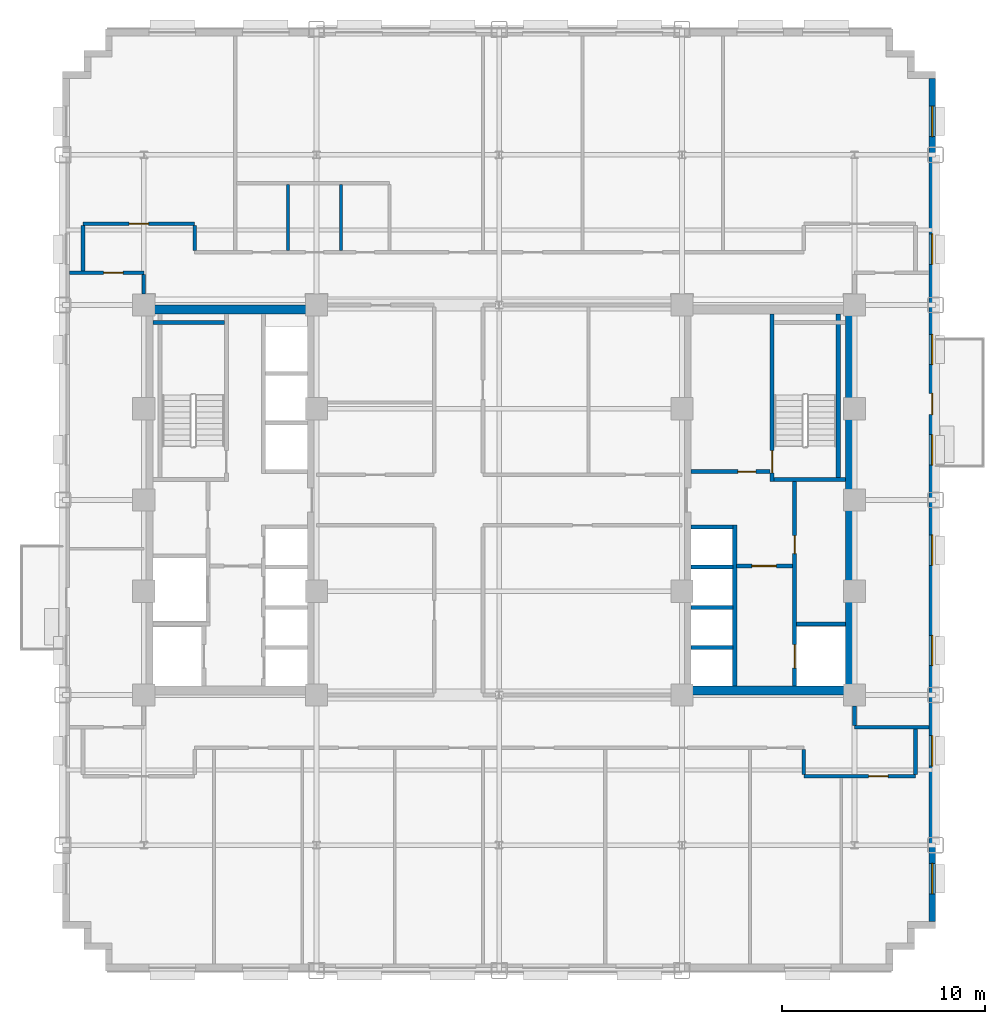
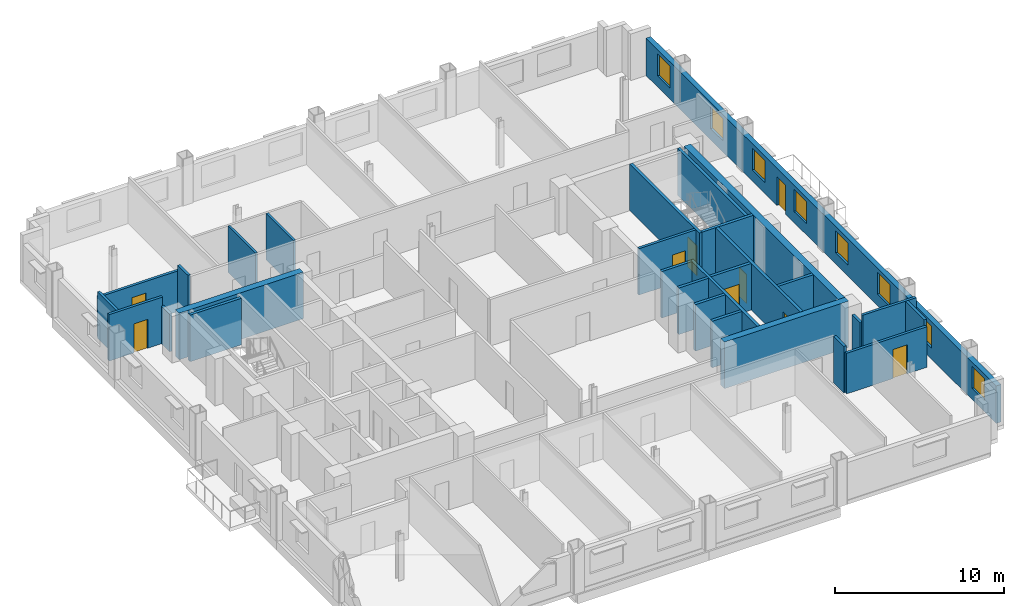
# One storey, part 8 of 14: 29 walls, 9 doors, 8 windows, 17 openings.
"""IFC4 building model written with IfcOpenShell, lengths in metres."""

from ifc_helpers import new_model, si_unit, direction, frame, frame_2d, origin, place, context, subcontext, project, spatial, rectangle, extrude, source, transform, mapped, material, layer, layer_set, type_object, type_shapes, element, fill, save


model = new_model("IFC4")

# Units and contexts
model_context = context("Model", 3, precision=1e-05, world=origin(), true_north=direction((0.0, 1.0)))
body_context = subcontext(model_context, "Body", "Model", "MODEL_VIEW")
ifc_project = project(units=[si_unit("LENGTHUNIT", "METRE"), si_unit("AREAUNIT", "SQUARE_METRE"), si_unit("VOLUMEUNIT", "CUBIC_METRE"), si_unit("PLANEANGLEUNIT", "RADIAN"), si_unit("MASSUNIT", "GRAM", prefix="KILO")], contexts=[model_context])

# Site, building, storey
site_placement = place(None, origin())
site = spatial("IfcSite", under=ifc_project, at=site_placement, CompositionType="ELEMENT")
building_placement = place(site_placement, origin())
building = spatial("IfcBuilding", under=site, at=building_placement, Name="Nuvemarco Arch Tower", CompositionType="ELEMENT")
storey_placement = place(building_placement, frame((0.0, 0.0, 71.39990234375)))
storey = spatial("IfcBuildingStorey", under=building, at=storey_placement, Name="L18", CompositionType="ELEMENT", Elevation=71.39990234375)

# Wall, openings, door, windows
ifc_material_1 = material(Name="Precast concrete C45/55", Category="concrete")
ifc_layer_1 = layer(ifc_material_1, 0.340087890625, Name="EW-LOW-340")
ifc_layer_set_1 = layer_set([ifc_layer_1], Name="Precast concrete C45/55")
wall_type_1 = type_object("IfcWallType", Name="EW-LOW-340", PredefinedType="STANDARD", material=ifc_layer_set_1)
wall_1_placement = place(storey_placement, frame((21.330078125, -20.763916015625, 0.0), z_axis=(0.0, 0.0, 1.0), x_axis=(0.0, 1.0, 0.0)))
wall_1 = element("IfcWall", 1, at=wall_1_placement, inside=storey, type_object=wall_type_1, Name="L18 exterior precast facade wall 6", PredefinedType="STANDARD", context=body_context, shape_type="SweptSolid", body=[
    extrude(rectangle(XDim=41.52783203125, YDim=0.340087890625, at=frame_2d((20.763916015625, 0.0))), origin(), (0.0, 0.0, 1.0), 2.705078125),
])
opening_1_placement = place(wall_1_placement, frame((26.01416015625, 0.0, 0.0), z_axis=(0.0, 0.0, 1.0), x_axis=(-1.0, 0.0, 0.0)))
opening_1 = element("IfcOpeningElement", 2, at=opening_1_placement, cuts=wall_1, Name="Opening ED-5", PredefinedType="OPENING", context=body_context, shape_type="SweptSolid", body=[
    extrude(rectangle(XDim=1.050048828125, YDim=2.10009765625, at=frame_2d((0.52490234375, 1.050048828125))), frame((0.0, 0.179931640625, 0.0), z_axis=(0.0, -1.0, 0.0), x_axis=(1.0, 0.0, 0.0)), (0.0, 0.0, 1.0), 0.360107421875),
])
opening_2_placement = place(wall_1_placement, frame((1.37060546875, 0.0, 0.800048828125)))
opening_2 = element("IfcOpeningElement", 3, at=opening_2_placement, cuts=wall_1, Name="Opening WN-11", PredefinedType="OPENING", context=body_context, shape_type="SweptSolid", body=[
    extrude(rectangle(XDim=1.5, YDim=1.60009765625, at=frame_2d((0.75, 0.800048828125))), frame((0.0, 0.179931640625, 0.0), z_axis=(0.0, -1.0, 0.0), x_axis=(1.0, 0.0, 0.0)), (0.0, 0.0, 1.0), 0.360107421875),
])
opening_3_placement = place(wall_1_placement, frame((7.66162109375, 0.0, 0.800048828125)))
opening_3 = element("IfcOpeningElement", 4, at=opening_3_placement, cuts=wall_1, Name="Opening WN-11", PredefinedType="OPENING", context=body_context, shape_type="SweptSolid", body=[
    extrude(rectangle(XDim=1.5, YDim=1.60009765625, at=frame_2d((0.75, 0.800048828125))), frame((0.0, 0.179931640625, 0.0), z_axis=(0.0, -1.0, 0.0), x_axis=(1.0, 0.0, 0.0)), (0.0, 0.0, 1.0), 0.360107421875),
])
opening_4_placement = place(wall_1_placement, frame((12.6025390625, 0.0, 0.800048828125)))
opening_4 = element("IfcOpeningElement", 5, at=opening_4_placement, cuts=wall_1, Name="Opening WN-11", PredefinedType="OPENING", context=body_context, shape_type="SweptSolid", body=[
    extrude(rectangle(XDim=1.5, YDim=1.60009765625, at=frame_2d((0.75, 0.800048828125))), frame((0.0, 0.179931640625, 0.0), z_axis=(0.0, -1.0, 0.0), x_axis=(1.0, 0.0, 0.0)), (0.0, 0.0, 1.0), 0.360107421875),
])
opening_5_placement = place(wall_1_placement, frame((17.54345703125, 0.0, 0.800048828125)))
opening_5 = element("IfcOpeningElement", 6, at=opening_5_placement, cuts=wall_1, Name="Opening WN-11", PredefinedType="OPENING", context=body_context, shape_type="SweptSolid", body=[
    extrude(rectangle(XDim=1.5, YDim=1.60009765625, at=frame_2d((0.75, 0.800048828125))), frame((0.0, 0.179931640625, 0.0), z_axis=(0.0, -1.0, 0.0), x_axis=(1.0, 0.0, 0.0)), (0.0, 0.0, 1.0), 0.360107421875),
])
opening_6_placement = place(wall_1_placement, frame((22.484619140625, 0.0, 0.800048828125)))
opening_6 = element("IfcOpeningElement", 7, at=opening_6_placement, cuts=wall_1, Name="Opening WN-11", PredefinedType="OPENING", context=body_context, shape_type="SweptSolid", body=[
    extrude(rectangle(XDim=1.5, YDim=1.60009765625, at=frame_2d((0.75, 0.800048828125))), frame((0.0, 0.179931640625, 0.0), z_axis=(0.0, -1.0, 0.0), x_axis=(1.0, 0.0, 0.0)), (0.0, 0.0, 1.0), 0.360107421875),
])
opening_7_placement = place(wall_1_placement, frame((27.425537109375, 0.0, 0.800048828125)))
opening_7 = element("IfcOpeningElement", 8, at=opening_7_placement, cuts=wall_1, Name="Opening WN-11", PredefinedType="OPENING", context=body_context, shape_type="SweptSolid", body=[
    extrude(rectangle(XDim=1.5, YDim=1.60009765625, at=frame_2d((0.75, 0.800048828125))), frame((0.0, 0.179931640625, 0.0), z_axis=(0.0, -1.0, 0.0), x_axis=(1.0, 0.0, 0.0)), (0.0, 0.0, 1.0), 0.360107421875),
])
opening_8_placement = place(wall_1_placement, frame((32.366455078125, 0.0, 0.800048828125)))
opening_8 = element("IfcOpeningElement", 9, at=opening_8_placement, cuts=wall_1, Name="Opening WN-11", PredefinedType="OPENING", context=body_context, shape_type="SweptSolid", body=[
    extrude(rectangle(XDim=1.5, YDim=1.60009765625, at=frame_2d((0.75, 0.800048828125))), frame((0.0, 0.179931640625, 0.0), z_axis=(0.0, -1.0, 0.0), x_axis=(1.0, 0.0, 0.0)), (0.0, 0.0, 1.0), 0.360107421875),
])
opening_9_placement = place(wall_1_placement, frame((38.657470703125, 0.0, 0.800048828125)))
opening_9 = element("IfcOpeningElement", 10, at=opening_9_placement, cuts=wall_1, Name="Opening WN-11", PredefinedType="OPENING", context=body_context, shape_type="SweptSolid", body=[
    extrude(rectangle(XDim=1.5, YDim=1.60009765625, at=frame_2d((0.75, 0.800048828125))), frame((0.0, 0.179931640625, 0.0), z_axis=(0.0, -1.0, 0.0), x_axis=(1.0, 0.0, 0.0)), (0.0, 0.0, 1.0), 0.360107421875),
])
ifc_material_2 = material(Name="Anodised bronze and laminated glass", Category="glass")
door_type_1 = type_object("IfcDoorType", Name="DR-EXT-TERR", OperationType="NOTDEFINED", PredefinedType="DOOR", material=ifc_material_2)
shared_shape_1 = source(origin(), body_context, "Body", "SweptSolid", [
    extrude(rectangle(XDim=1.050048828125, YDim=2.10009765625, at=frame_2d((0.52490234375, 1.050048828125))), frame((0.0, 0.02490234375, 0.0), z_axis=(0.0, -1.0, 0.0), x_axis=(1.0, 0.0, 0.0)), (0.0, 0.0, 1.0), 0.050048828125),
])
type_shapes(door_type_1, [shared_shape_1])
door_1_placement = place(opening_1_placement, origin())
door_1 = element("IfcDoor", 11, at=door_1_placement, inside=storey, type_object=door_type_1, Name="L18 spiral terrace access door", OperationType="SINGLE_SWING_RIGHT", OverallHeight=2.10009765625, OverallWidth=1.050048828125, PredefinedType="DOOR", context=body_context, shape_type="MappedRepresentation", body=[
    mapped(shared_shape_1, transform((0.0, 0.0, 0.0), scale=1.0)),
])
fill(opening_1, door_1)
ifc_material_3 = material(Name="Insulated solar-control glass", Category="glass")
window_type = type_object("IfcWindowType", Name="WN-STEP-1500x1850", PartitioningType="SINGLE_PANEL", PredefinedType="WINDOW", material=ifc_material_3)
shared_shape_2 = source(origin(), body_context, "Body", "SweptSolid", [
    extrude(rectangle(XDim=1.5, YDim=1.60009765625, at=frame_2d((0.75, 0.800048828125))), frame((0.0, 0.030029296875, 0.0), z_axis=(0.0, -1.0, 0.0), x_axis=(1.0, 0.0, 0.0)), (0.0, 0.0, 1.0), 0.06005859375),
])
type_shapes(window_type, [shared_shape_2])
window_1_placement = place(opening_2_placement, origin())
window_1 = element("IfcWindow", 12, at=window_1_placement, inside=storey, type_object=window_type, Name="L18 punched facade window 1", OverallHeight=1.60009765625, OverallWidth=1.5, PartitioningType="SINGLE_PANEL", PredefinedType="WINDOW", context=body_context, shape_type="MappedRepresentation", body=[
    mapped(shared_shape_2, transform((0.0, 0.0, 0.0), scale=1.0)),
])
fill(opening_2, window_1)
window_2_placement = place(opening_3_placement, origin())
window_2 = element("IfcWindow", 13, at=window_2_placement, inside=storey, type_object=window_type, Name="L18 punched facade window 2", OverallHeight=1.60009765625, OverallWidth=1.5, PartitioningType="SINGLE_PANEL", PredefinedType="WINDOW", context=body_context, shape_type="MappedRepresentation", body=[
    mapped(shared_shape_2, transform((0.0, 0.0, 0.0), scale=1.0)),
])
fill(opening_3, window_2)
window_3_placement = place(opening_4_placement, origin())
window_3 = element("IfcWindow", 14, at=window_3_placement, inside=storey, type_object=window_type, Name="L18 punched facade window 3", OverallHeight=1.60009765625, OverallWidth=1.5, PartitioningType="SINGLE_PANEL", PredefinedType="WINDOW", context=body_context, shape_type="MappedRepresentation", body=[
    mapped(shared_shape_2, transform((0.0, 0.0, 0.0), scale=1.0)),
])
fill(opening_4, window_3)
window_4_placement = place(opening_5_placement, origin())
window_4 = element("IfcWindow", 15, at=window_4_placement, inside=storey, type_object=window_type, Name="L18 punched facade window 4", OverallHeight=1.60009765625, OverallWidth=1.5, PartitioningType="SINGLE_PANEL", PredefinedType="WINDOW", context=body_context, shape_type="MappedRepresentation", body=[
    mapped(shared_shape_2, transform((0.0, 0.0, 0.0), scale=1.0)),
])
fill(opening_5, window_4)
window_5_placement = place(opening_6_placement, origin())
window_5 = element("IfcWindow", 16, at=window_5_placement, inside=storey, type_object=window_type, Name="L18 punched facade window 5", OverallHeight=1.60009765625, OverallWidth=1.5, PartitioningType="SINGLE_PANEL", PredefinedType="WINDOW", context=body_context, shape_type="MappedRepresentation", body=[
    mapped(shared_shape_2, transform((0.0, 0.0, 0.0), scale=1.0)),
])
fill(opening_6, window_5)
window_6_placement = place(opening_7_placement, origin())
window_6 = element("IfcWindow", 17, at=window_6_placement, inside=storey, type_object=window_type, Name="L18 punched facade window 6", OverallHeight=1.60009765625, OverallWidth=1.5, PartitioningType="SINGLE_PANEL", PredefinedType="WINDOW", context=body_context, shape_type="MappedRepresentation", body=[
    mapped(shared_shape_2, transform((0.0, 0.0, 0.0), scale=1.0)),
])
fill(opening_7, window_6)
window_7_placement = place(opening_8_placement, origin())
window_7 = element("IfcWindow", 18, at=window_7_placement, inside=storey, type_object=window_type, Name="L18 punched facade window 7", OverallHeight=1.60009765625, OverallWidth=1.5, PartitioningType="SINGLE_PANEL", PredefinedType="WINDOW", context=body_context, shape_type="MappedRepresentation", body=[
    mapped(shared_shape_2, transform((0.0, 0.0, 0.0), scale=1.0)),
])
fill(opening_8, window_7)
window_8_placement = place(opening_9_placement, origin())
window_8 = element("IfcWindow", 19, at=window_8_placement, inside=storey, type_object=window_type, Name="L18 punched facade window 8", OverallHeight=1.60009765625, OverallWidth=1.5, PartitioningType="SINGLE_PANEL", PredefinedType="WINDOW", context=body_context, shape_type="MappedRepresentation", body=[
    mapped(shared_shape_2, transform((0.0, 0.0, 0.0), scale=1.0)),
])
fill(opening_9, window_8)

# Walls
ifc_material_4 = material(Name="Concrete C60/75", Category="concrete")
ifc_layer_2 = layer(ifc_material_4, 0.449951171875, Name="WL-CORE-450")
ifc_layer_set_2 = layer_set([ifc_layer_2], Name="Concrete C60/75")
wall_type_2 = type_object("IfcWallType", Name="WL-CORE-450", PredefinedType="SHEAR", material=ifc_layer_set_2)
for number, where, z_axis, x_axis, name in (
    (20, (-17.5, 9.375, 0.0), (0.0, 0.0, 1.0), (1.0, 0.0, 0.0), "L18 W-core shear wall N"),
    (21, (9.0, -9.375, 0.0), (0.0, 0.0, 1.0), (1.0, 0.0, 0.0), "L18 E-core shear wall S"),
):
    element("IfcWall", number, at=place(storey_placement, frame(where, z_axis=z_axis, x_axis=x_axis)), inside=storey, type_object=wall_type_2, Name=name, PredefinedType="SHEAR", context=body_context, shape_type="SweptSolid", body=[
        extrude(rectangle(XDim=8.5, YDim=0.449951171875, at=frame_2d((4.25, 0.0))), origin(), (0.0, 0.0, 1.0), 3.3701171875),
    ])
wall_2_placement = place(storey_placement, frame((17.27490234375, -9.155029296875, 0.0), z_axis=(0.0, 0.0, 1.0), x_axis=(0.0, 1.0, 0.0)))
element("IfcWall", 22, at=wall_2_placement, inside=storey, type_object=wall_type_2, Name="L18 E-core shear wall E", PredefinedType="SHEAR", context=body_context, shape_type="SweptSolid", body=[
    extrude(rectangle(XDim=18.31005859375, YDim=0.449951171875, at=frame_2d((9.155029296875, 0.0))), origin(), (0.0, 0.0, 1.0), 3.3701171875),
])

# Wall, opening, door
ifc_material_5 = material(Name="Fire-rated gypsum drywall partition")
ifc_layer_3 = layer(ifc_material_5, 0.179931640625, Name="WL-CORR-180")
ifc_layer_set_3 = layer_set([ifc_layer_3], Name="Fire-rated gypsum drywall partition")
wall_type_3 = type_object("IfcWallType", Name="WL-CORR-180", PredefinedType="PARTITIONING", material=ifc_layer_set_3)
wall_3_placement = place(storey_placement, frame((9.445068359375, 1.39990234375, 0.0), z_axis=(0.0, 0.0, 1.0), x_axis=(1.0, 0.0, 0.0)))
wall_3 = element("IfcWall", 23, at=wall_3_placement, inside=storey, type_object=wall_type_3, Name="L18 interior wall IW-L18-EK-S", PredefinedType="PARTITIONING", context=body_context, shape_type="SweptSolid", body=[
    extrude(rectangle(XDim=3.89990234375, YDim=0.179931640625, at=frame_2d((1.949951171875, 0.0))), origin(), (0.0, 0.0, 1.0), 3.360107421875),
])
opening_10_placement = place(wall_3_placement, frame((2.31494140625, 0.0, 0.0)))
opening_10 = element("IfcOpeningElement", 24, at=opening_10_placement, cuts=wall_3, Name="Opening FD-4", PredefinedType="OPENING", context=body_context, shape_type="SweptSolid", body=[
    extrude(rectangle(XDim=0.8798828125, YDim=2.10009765625, at=frame_2d((0.43994140625, 1.050048828125))), frame((0.0, 0.099853515625, 0.0), z_axis=(0.0, -1.0, 0.0), x_axis=(1.0, 0.0, 0.0)), (0.0, 0.0, 1.0), 0.199951171875),
])
ifc_material_6 = material(Name="Anodised steel fire door", Category="steel")
door_type_2 = type_object("IfcDoorType", Name="DR-RISER-FD", OperationType="NOTDEFINED", PredefinedType="DOOR", material=ifc_material_6)
shared_shape_3 = source(origin(), body_context, "Body", "SweptSolid", [
    extrude(rectangle(XDim=0.8798828125, YDim=2.10009765625, at=frame_2d((0.43994140625, 1.050048828125))), frame((0.0, 0.02490234375, 0.0), z_axis=(0.0, -1.0, 0.0), x_axis=(1.0, 0.0, 0.0)), (0.0, 0.0, 1.0), 0.050048828125),
])
type_shapes(door_type_2, [shared_shape_3])
door_2_placement = place(opening_10_placement, origin())
door_2 = element("IfcDoor", 25, at=door_2_placement, inside=storey, type_object=door_type_2, Name="L18 door FD-L18-EK1A", OperationType="SINGLE_SWING_RIGHT", OverallHeight=2.10009765625, OverallWidth=0.8798828125, PredefinedType="DOOR", context=body_context, shape_type="MappedRepresentation", body=[
    mapped(shared_shape_3, transform((0.0, 0.0, 0.0), scale=1.0)),
])
fill(opening_10, door_2)

wall_4_placement = place(storey_placement, frame((15.0, -13.60009765625, 0.0), z_axis=(0.0, 0.0, 1.0), x_axis=(1.0, 0.0, 0.0)))
wall_4 = element("IfcWall", 26, at=wall_4_placement, inside=storey, type_object=wall_type_3, Name="L18 interior wall IW-L18-002", PredefinedType="PARTITIONING", context=body_context, shape_type="SweptSolid", body=[
    extrude(rectangle(XDim=5.5, YDim=0.179931640625, at=frame_2d((2.75, 0.0))), origin(), (0.0, 0.0, 1.0), 2.942138671875),
])
opening_11_placement = place(wall_4_placement, frame((3.195068359375, 0.0, 0.0)))
opening_11 = element("IfcOpeningElement", 27, at=opening_11_placement, cuts=wall_4, Name="Opening FD-5", PredefinedType="OPENING", context=body_context, shape_type="SweptSolid", body=[
    extrude(rectangle(XDim=0.9599609375, YDim=2.10009765625, at=frame_2d((0.47998046875, 1.050048828125))), frame((0.0, 0.099853515625, 0.0), z_axis=(0.0, -1.0, 0.0), x_axis=(1.0, 0.0, 0.0)), (0.0, 0.0, 1.0), 0.199951171875),
])
ifc_material_7 = material(Name="Timber fire door", Category="wood")
door_type_3 = type_object("IfcDoorType", Name="DR-CORR-FD", OperationType="NOTDEFINED", PredefinedType="DOOR", material=ifc_material_7)
shared_shape_4 = source(origin(), body_context, "Body", "SweptSolid", [
    extrude(rectangle(XDim=0.9599609375, YDim=2.10009765625, at=frame_2d((0.47998046875, 1.050048828125))), frame((0.0, 0.02490234375, 0.0), z_axis=(0.0, -1.0, 0.0), x_axis=(1.0, 0.0, 0.0)), (0.0, 0.0, 1.0), 0.050048828125),
])
type_shapes(door_type_3, [shared_shape_4])
door_3_placement = place(opening_11_placement, origin())
door_3 = element("IfcDoor", 28, at=door_3_placement, inside=storey, type_object=door_type_3, Name="L18 door DR-L18-S_8", OperationType="SINGLE_SWING_RIGHT", OverallHeight=2.10009765625, OverallWidth=0.9599609375, PredefinedType="DOOR", context=body_context, shape_type="MappedRepresentation", body=[
    mapped(shared_shape_4, transform((0.0, 0.0, 0.0), scale=1.0)),
])
fill(opening_11, door_3)

# Wall
wall_5_placement = place(storey_placement, frame((17.5, -11.199951171875, 0.0), z_axis=(0.0, 0.0, 1.0), x_axis=(1.0, 0.0, 0.0)))
element("IfcWall", 29, at=wall_5_placement, inside=storey, type_object=wall_type_3, Name="L18 interior wall IW-L18-005", PredefinedType="PARTITIONING", context=body_context, shape_type="SweptSolid", body=[
    extrude(rectangle(XDim=3.659912109375, YDim=0.179931640625, at=frame_2d((1.830078125, 0.0))), origin(), (0.0, 0.0, 1.0), 3.360107421875),
])

# Wall, opening, door
wall_6_placement = place(storey_placement, frame((-21.159912109375, 11.199951171875, 0.0), z_axis=(0.0, 0.0, 1.0), x_axis=(1.0, 0.0, 0.0)))
wall_6 = element("IfcWall", 30, at=wall_6_placement, inside=storey, type_object=wall_type_3, Name="L18 interior wall IW-L18-018", PredefinedType="PARTITIONING", context=body_context, shape_type="SweptSolid", body=[
    extrude(rectangle(XDim=3.659912109375, YDim=0.179931640625, at=frame_2d((1.830078125, 0.0))), origin(), (0.0, 0.0, 1.0), 3.360107421875),
])
opening_12_placement = place(wall_6_placement, frame((1.679931640625, 0.0, 0.0)))
opening_12 = element("IfcOpeningElement", 31, at=opening_12_placement, cuts=wall_6, Name="Opening FD-5", PredefinedType="OPENING", context=body_context, shape_type="SweptSolid", body=[
    extrude(rectangle(XDim=0.9599609375, YDim=2.10009765625, at=frame_2d((0.47998046875, 1.050048828125))), frame((0.0, 0.099853515625, 0.0), z_axis=(0.0, -1.0, 0.0), x_axis=(1.0, 0.0, 0.0)), (0.0, 0.0, 1.0), 0.199951171875),
])
door_4_placement = place(opening_12_placement, origin())
door_4 = element("IfcDoor", 32, at=door_4_placement, inside=storey, type_object=door_type_3, Name="L18 door DR-L18-W_2", OperationType="SINGLE_SWING_RIGHT", OverallHeight=2.10009765625, OverallWidth=0.9599609375, PredefinedType="DOOR", context=body_context, shape_type="MappedRepresentation", body=[
    mapped(shared_shape_4, transform((0.0, 0.0, 0.0), scale=1.0)),
])
fill(opening_12, door_4)

wall_7_placement = place(storey_placement, frame((-20.5, 13.60009765625, 0.0), z_axis=(0.0, 0.0, 1.0), x_axis=(1.0, 0.0, 0.0)))
wall_7 = element("IfcWall", 33, at=wall_7_placement, inside=storey, type_object=wall_type_3, Name="L18 interior wall IW-L18-021", PredefinedType="PARTITIONING", context=body_context, shape_type="SweptSolid", body=[
    extrude(rectangle(XDim=5.5, YDim=0.179931640625, at=frame_2d((2.75, 0.0))), origin(), (0.0, 0.0, 1.0), 2.942138671875),
])
opening_13_placement = place(wall_7_placement, frame((2.27001953125, 0.0, 0.0)))
opening_13 = element("IfcOpeningElement", 34, at=opening_13_placement, cuts=wall_7, Name="Opening FD-5", PredefinedType="OPENING", context=body_context, shape_type="SweptSolid", body=[
    extrude(rectangle(XDim=0.9599609375, YDim=2.10009765625, at=frame_2d((0.47998046875, 1.050048828125))), frame((0.0, 0.099853515625, 0.0), z_axis=(0.0, -1.0, 0.0), x_axis=(1.0, 0.0, 0.0)), (0.0, 0.0, 1.0), 0.199951171875),
])
door_5_placement = place(opening_13_placement, origin())
door_5 = element("IfcDoor", 35, at=door_5_placement, inside=storey, type_object=door_type_3, Name="L18 door DR-L18-N_1", OperationType="SINGLE_SWING_RIGHT", OverallHeight=2.10009765625, OverallWidth=0.9599609375, PredefinedType="DOOR", context=body_context, shape_type="MappedRepresentation", body=[
    mapped(shared_shape_4, transform((0.0, 0.0, 0.0), scale=1.0)),
])
fill(opening_13, door_5)

# Walls
wall_8_placement = place(storey_placement, frame((-20.5, 11.285888671875, 0.0), z_axis=(0.0, 0.0, 1.0), x_axis=(0.0, 1.0, 0.0)))
element("IfcWall", 36, at=wall_8_placement, inside=storey, type_object=wall_type_3, Name="L18 interior wall IW-L18-025", PredefinedType="PARTITIONING", context=body_context, shape_type="SweptSolid", body=[
    extrude(rectangle(XDim=2.22802734375, YDim=0.179931640625, at=frame_2d((1.114013671875, 0.0))), origin(), (0.0, 0.0, 1.0), 3.360107421875),
])
wall_9_placement = place(storey_placement, frame((-17.5, 10.14599609375, 0.0), z_axis=(0.0, 0.0, 1.0), x_axis=(0.0, 1.0, 0.0)))
element("IfcWall", 37, at=wall_9_placement, inside=storey, type_object=wall_type_3, Name="L18 interior wall IW-L18-027", PredefinedType="PARTITIONING", context=body_context, shape_type="SweptSolid", body=[
    extrude(rectangle(XDim=0.968017578125, YDim=0.179931640625, at=frame_2d((0.48388671875, 0.0))), origin(), (0.0, 0.0, 1.0), 2.738037109375),
])
for number, where, z_axis, x_axis, name in (
    (38, (-15.0, 12.285888671875, 0.0), (0.0, 0.0, 1.0), (0.0, 1.0, 0.0), "L18 interior wall IW-L18-029"),
    (39, (15.0, -13.513916015625, 0.0), (0.0, 0.0, 1.0), (0.0, 1.0, 0.0), "L18 interior wall IW-L18-048"),
):
    element("IfcWall", number, at=place(storey_placement, frame(where, z_axis=z_axis, x_axis=x_axis)), inside=storey, type_object=wall_type_3, Name=name, PredefinedType="PARTITIONING", context=body_context, shape_type="SweptSolid", body=[
        extrude(rectangle(XDim=1.22802734375, YDim=0.179931640625, at=frame_2d((0.614013671875, 0.0))), origin(), (0.0, 0.0, 1.0), 3.360107421875),
    ])
wall_10_placement = place(storey_placement, frame((17.5, -11.114013671875, 0.0), z_axis=(0.0, 0.0, 1.0), x_axis=(0.0, 1.0, 0.0)))
element("IfcWall", 40, at=wall_10_placement, inside=storey, type_object=wall_type_3, Name="L18 interior wall IW-L18-051", PredefinedType="PARTITIONING", context=body_context, shape_type="SweptSolid", body=[
    extrude(rectangle(XDim=0.968017578125, YDim=0.179931640625, at=frame_2d((0.48388671875, 0.0))), origin(), (0.0, 0.0, 1.0), 2.738037109375),
])
wall_11_placement = place(storey_placement, frame((20.5, -13.513916015625, 0.0), z_axis=(0.0, 0.0, 1.0), x_axis=(0.0, 1.0, 0.0)))
element("IfcWall", 41, at=wall_11_placement, inside=storey, type_object=wall_type_3, Name="L18 interior wall IW-L18-053", PredefinedType="PARTITIONING", context=body_context, shape_type="SweptSolid", body=[
    extrude(rectangle(XDim=2.22802734375, YDim=0.179931640625, at=frame_2d((1.114013671875, 0.0))), origin(), (0.0, 0.0, 1.0), 3.360107421875),
])
ifc_material_8 = material(Name="Concrete C50/60", Category="concrete")
ifc_layer_4 = layer(ifc_material_8, 0.199951171875, Name="WL-SHAFT-220")
ifc_layer_set_4 = layer_set([ifc_layer_4], Name="Concrete C50/60")
wall_type_4 = type_object("IfcWallType", Name="WL-SHAFT-220", PredefinedType="SHEAR", material=ifc_layer_set_4)
wall_12_placement = place(storey_placement, frame((-17.054931640625, 8.75, 0.0), z_axis=(0.0, 0.0, 1.0), x_axis=(1.0, 0.0, 0.0)))
element("IfcWall", 42, at=wall_12_placement, inside=storey, type_object=wall_type_4, Name="L18 structural shaft wall SW-L18-W-ST1N", PredefinedType="SHEAR", context=body_context, shape_type="SweptSolid", body=[
    extrude(rectangle(XDim=3.52001953125, YDim=0.199951171875, at=frame_2d((1.760009765625, 0.0))), origin(), (0.0, 0.0, 1.0), 3.3701171875),
])

# Wall, opening, door
wall_13_placement = place(storey_placement, frame((13.43994140625, 0.89990234375, 0.0), z_axis=(0.0, 0.0, 1.0), x_axis=(0.0, 1.0, 0.0)))
wall_13 = element("IfcWall", 43, at=wall_13_placement, inside=storey, type_object=wall_type_4, Name="L18 structural shaft wall SW-L18-E-ST2W", PredefinedType="SHEAR", context=body_context, shape_type="SweptSolid", body=[
    extrude(rectangle(XDim=8.255126953125, YDim=0.199951171875, at=frame_2d((4.12744140625, 0.0))), origin(), (0.0, 0.0, 1.0), 3.3701171875),
])
opening_14_placement = place(wall_13_placement, frame((0.429931640625, 0.0, 0.0)))
opening_14 = element("IfcOpeningElement", 44, at=opening_14_placement, cuts=wall_13, Name="Opening FD-1", PredefinedType="OPENING", context=body_context, shape_type="SweptSolid", body=[
    extrude(rectangle(XDim=1.10009765625, YDim=2.14990234375, at=frame_2d((0.550048828125, 1.074951171875))), frame((0.0, 0.10986328125, 0.0), z_axis=(0.0, -1.0, 0.0), x_axis=(1.0, 0.0, 0.0)), (0.0, 0.0, 1.0), 0.219970703125),
])
door_type_4 = type_object("IfcDoorType", Name="DR-STAIR-FD", OperationType="NOTDEFINED", PredefinedType="DOOR", material=ifc_material_6)
shared_shape_5 = source(origin(), body_context, "Body", "SweptSolid", [
    extrude(rectangle(XDim=1.10009765625, YDim=2.14990234375, at=frame_2d((0.550048828125, 1.074951171875))), frame((0.0, 0.02490234375, 0.0), z_axis=(0.0, -1.0, 0.0), x_axis=(1.0, 0.0, 0.0)), (0.0, 0.0, 1.0), 0.050048828125),
])
type_shapes(door_type_4, [shared_shape_5])
door_6_placement = place(opening_14_placement, origin())
door_6 = element("IfcDoor", 45, at=door_6_placement, inside=storey, type_object=door_type_4, Name="L18 door FD-L18-ST2", OperationType="SINGLE_SWING_LEFT", OverallHeight=2.14990234375, OverallWidth=1.10009765625, PredefinedType="DOOR", context=body_context, shape_type="MappedRepresentation", body=[
    mapped(shared_shape_5, transform((0.0, 0.0, 0.0), scale=1.0)),
])
fill(opening_14, door_6)

# Walls
wall_14_placement = place(storey_placement, frame((13.534912109375, 1.0, 0.0), z_axis=(0.0, 0.0, 1.0), x_axis=(1.0, 0.0, 0.0)))
element("IfcWall", 46, at=wall_14_placement, inside=storey, type_object=wall_type_4, Name="L18 structural shaft wall SW-L18-E-ST2S", PredefinedType="SHEAR", context=body_context, shape_type="SweptSolid", body=[
    extrude(rectangle(XDim=3.52001953125, YDim=0.199951171875, at=frame_2d((1.760009765625, 0.0))), origin(), (0.0, 0.0, 1.0), 3.3701171875),
])
wall_15_placement = place(storey_placement, frame((16.699951171875, 1.094970703125, 0.0), z_axis=(0.0, 0.0, 1.0), x_axis=(0.0, 1.0, 0.0)))
element("IfcWall", 47, at=wall_15_placement, inside=storey, type_object=wall_type_4, Name="L18 structural shaft wall SW-L18-E-ST2E", PredefinedType="SHEAR", context=body_context, shape_type="SweptSolid", body=[
    extrude(rectangle(XDim=8.06005859375, YDim=0.199951171875, at=frame_2d((4.030029296875, 0.0))), origin(), (0.0, 0.0, 1.0), 3.3701171875),
])

# Wall, openings, doors
wall_16_placement = place(storey_placement, frame((14.550048828125, -9.155029296875, 0.0), z_axis=(0.0, 0.0, 1.0), x_axis=(0.0, 1.0, 0.0)))
wall_16 = element("IfcWall", 48, at=wall_16_placement, inside=storey, type_object=wall_type_4, Name="L18 structural shaft wall SW-L18-E-SHW", PredefinedType="SHEAR", context=body_context, shape_type="SweptSolid", body=[
    extrude(rectangle(XDim=10.06005859375, YDim=0.199951171875, at=frame_2d((5.030029296875, 0.0))), origin(), (0.0, 0.0, 1.0), 3.3701171875),
])
opening_15_placement = place(wall_16_placement, frame((6.514892578125, 0.0, 0.0)))
opening_15 = element("IfcOpeningElement", 49, at=opening_15_placement, cuts=wall_16, Name="Opening FD-4", PredefinedType="OPENING", context=body_context, shape_type="SweptSolid", body=[
    extrude(rectangle(XDim=0.8798828125, YDim=2.10009765625, at=frame_2d((0.43994140625, 1.050048828125))), frame((0.0, 0.10986328125, 0.0), z_axis=(0.0, -1.0, 0.0), x_axis=(1.0, 0.0, 0.0)), (0.0, 0.0, 1.0), 0.219970703125),
])
opening_16_placement = place(wall_16_placement, frame((0.8798828125, 0.0, 0.0)))
opening_16 = element("IfcOpeningElement", 50, at=opening_16_placement, cuts=wall_16, Name="Opening LD-2", PredefinedType="OPENING", context=body_context, shape_type="SweptSolid", body=[
    extrude(rectangle(XDim=1.14990234375, YDim=2.14990234375, at=frame_2d((0.574951171875, 1.074951171875))), frame((0.0, 0.10986328125, 0.0), z_axis=(0.0, -1.0, 0.0), x_axis=(1.0, 0.0, 0.0)), (0.0, 0.0, 1.0), 0.219970703125),
])
door_7_placement = place(opening_15_placement, origin())
door_7 = element("IfcDoor", 51, at=door_7_placement, inside=storey, type_object=door_type_2, Name="L18 door FD-L18-ERIS", OperationType="SINGLE_SWING_LEFT", OverallHeight=2.10009765625, OverallWidth=0.8798828125, PredefinedType="DOOR", context=body_context, shape_type="MappedRepresentation", body=[
    mapped(shared_shape_3, transform((0.0, 0.0, 0.0), scale=1.0)),
])
fill(opening_15, door_7)
ifc_material_9 = material(Name="Stainless steel lift door", Category="steel")
door_type_5 = type_object("IfcDoorType", Name="DR-LIFT-FIRE", OperationType="DOUBLE_DOOR_SLIDING", PredefinedType="DOOR", material=ifc_material_9)
shared_shape_6 = source(origin(), body_context, "Body", "SweptSolid", [
    extrude(rectangle(XDim=1.14990234375, YDim=2.14990234375, at=frame_2d((0.574951171875, 1.074951171875))), frame((0.0, 0.02490234375, 0.0), z_axis=(0.0, -1.0, 0.0), x_axis=(1.0, 0.0, 0.0)), (0.0, 0.0, 1.0), 0.050048828125),
])
type_shapes(door_type_5, [shared_shape_6])
door_8_placement = place(opening_16_placement, origin())
door_8 = element("IfcDoor", 52, at=door_8_placement, inside=storey, type_object=door_type_5, Name="L18 Lift landing sliding door FFL-2", OperationType="DOUBLE_DOOR_SLIDING", OverallHeight=2.14990234375, OverallWidth=1.14990234375, PredefinedType="DOOR", context=body_context, shape_type="MappedRepresentation", body=[
    mapped(shared_shape_6, transform((0.0, 0.0, 0.0), scale=1.0)),
])
fill(opening_16, door_8)

# Walls
wall_17_placement = place(storey_placement, frame((14.64501953125, -6.10009765625, 0.0), z_axis=(0.0, 0.0, 1.0), x_axis=(1.0, 0.0, 0.0)))
element("IfcWall", 53, at=wall_17_placement, inside=storey, type_object=wall_type_4, Name="L18 structural shaft wall SW-L18-E-SH1", PredefinedType="SHEAR", context=body_context, shape_type="SweptSolid", body=[
    extrude(rectangle(XDim=2.409912109375, YDim=0.199951171875, at=frame_2d((1.205078125, 0.0))), origin(), (0.0, 0.0, 1.0), 3.3701171875),
])
wall_18_placement = place(storey_placement, frame((11.60009765625, -9.155029296875, 0.0), z_axis=(0.0, 0.0, 1.0), x_axis=(0.0, 1.0, 0.0)))
element("IfcWall", 54, at=wall_18_placement, inside=storey, type_object=wall_type_4, Name="L18 structural shaft wall SW-L18-E-PME", PredefinedType="SHEAR", context=body_context, shape_type="SweptSolid", body=[
    extrude(rectangle(XDim=7.925048828125, YDim=0.199951171875, at=frame_2d((3.96240234375, 0.0))), origin(), (0.0, 0.0, 1.0), 3.3701171875),
])

# Wall, opening, door
wall_19_placement = place(storey_placement, frame((11.695068359375, -3.25, 0.0), z_axis=(0.0, 0.0, 1.0), x_axis=(1.0, 0.0, 0.0)))
wall_19 = element("IfcWall", 55, at=wall_19_placement, inside=storey, type_object=wall_type_4, Name="L18 structural shaft wall SW-L18-E-FFN", PredefinedType="SHEAR", context=body_context, shape_type="SweptSolid", body=[
    extrude(rectangle(XDim=2.760009765625, YDim=0.199951171875, at=frame_2d((1.3798828125, 0.0))), origin(), (0.0, 0.0, 1.0), 3.3701171875),
])
opening_17_placement = place(wall_19_placement, frame((0.7548828125, 0.0, 0.0)))
opening_17 = element("IfcOpeningElement", 56, at=opening_17_placement, cuts=wall_19, Name="Opening FD-2", PredefinedType="OPENING", context=body_context, shape_type="SweptSolid", body=[
    extrude(rectangle(XDim=1.199951171875, YDim=2.14990234375, at=frame_2d((0.60009765625, 1.074951171875))), frame((0.0, 0.10986328125, 0.0), z_axis=(0.0, -1.0, 0.0), x_axis=(1.0, 0.0, 0.0)), (0.0, 0.0, 1.0), 0.219970703125),
])
door_type_6 = type_object("IfcDoorType", Name="DR-FFLOB-FD", OperationType="NOTDEFINED", PredefinedType="DOOR", material=ifc_material_6)
shared_shape_7 = source(origin(), body_context, "Body", "SweptSolid", [
    extrude(rectangle(XDim=1.199951171875, YDim=2.14990234375, at=frame_2d((0.60009765625, 1.074951171875))), frame((0.0, 0.02490234375, 0.0), z_axis=(0.0, -1.0, 0.0), x_axis=(1.0, 0.0, 0.0)), (0.0, 0.0, 1.0), 0.050048828125),
])
type_shapes(door_type_6, [shared_shape_7])
door_9_placement = place(opening_17_placement, origin())
door_9 = element("IfcDoor", 57, at=door_9_placement, inside=storey, type_object=door_type_6, Name="L18 door FD-L18-EFF2", OperationType="SINGLE_SWING_LEFT", OverallHeight=2.14990234375, OverallWidth=1.199951171875, PredefinedType="DOOR", context=body_context, shape_type="MappedRepresentation", body=[
    mapped(shared_shape_7, transform((0.0, 0.0, 0.0), scale=1.0)),
])
fill(opening_17, door_9)

# Walls
for number, where, z_axis, x_axis, name in (
    (58, (9.445068359375, -7.27001953125, 0.0), (0.0, 0.0, 1.0), (1.0, 0.0, 0.0), "L18 structural shaft wall SW-L18-E-PMD1"),
    (59, (9.445068359375, -5.2900390625, 0.0), (0.0, 0.0, 1.0), (1.0, 0.0, 0.0), "L18 structural shaft wall SW-L18-E-PMD2"),
    (60, (9.445068359375, -3.31005859375, 0.0), (0.0, 0.0, 1.0), (1.0, 0.0, 0.0), "L18 structural shaft wall SW-L18-E-PMD3"),
    (61, (9.445068359375, -1.330078125, 0.0), (0.0, 0.0, 1.0), (1.0, 0.0, 0.0), "L18 structural shaft wall SW-L18-E-PMD4"),
):
    element("IfcWall", number, at=place(storey_placement, frame(where, z_axis=z_axis, x_axis=x_axis)), inside=storey, type_object=wall_type_4, Name=name, PredefinedType="SHEAR", context=body_context, shape_type="SweptSolid", body=[
        extrude(rectangle(XDim=2.059814453125, YDim=0.199951171875, at=frame_2d((1.02978515625, 0.0))), origin(), (0.0, 0.0, 1.0), 3.3701171875),
    ])
ifc_material_10 = material(Name="Moisture-resistant gypsum partition")
ifc_layer_5 = layer(ifc_material_10, 0.14990234375, Name="WL-WET-150")
ifc_layer_set_5 = layer_set([ifc_layer_5], Name="Moisture-resistant gypsum partition")
wall_type_5 = type_object("IfcWallType", Name="WL-WET-150", PredefinedType="PARTITIONING", material=ifc_layer_set_5)
for number, where, z_axis, x_axis, name in (
    (62, (-10.39990234375, 12.285888671875, 0.0), (0.0, 0.0, 1.0), (0.0, 1.0, 0.0), "L18 interior wall IW-L18-032"),
    (63, (-7.800048828125, 12.285888671875, 0.0), (0.0, 0.0, 1.0), (0.0, 1.0, 0.0), "L18 interior wall IW-L18-034"),
):
    element("IfcWall", number, at=place(storey_placement, frame(where, z_axis=z_axis, x_axis=x_axis)), inside=storey, type_object=wall_type_5, Name=name, PredefinedType="PARTITIONING", context=body_context, shape_type="SweptSolid", body=[
        extrude(rectangle(XDim=3.2431640625, YDim=0.14990234375, at=frame_2d((1.62158203125, 0.0))), origin(), (0.0, 0.0, 1.0), 3.360107421875),
    ])

save(model, "model.ifc")
